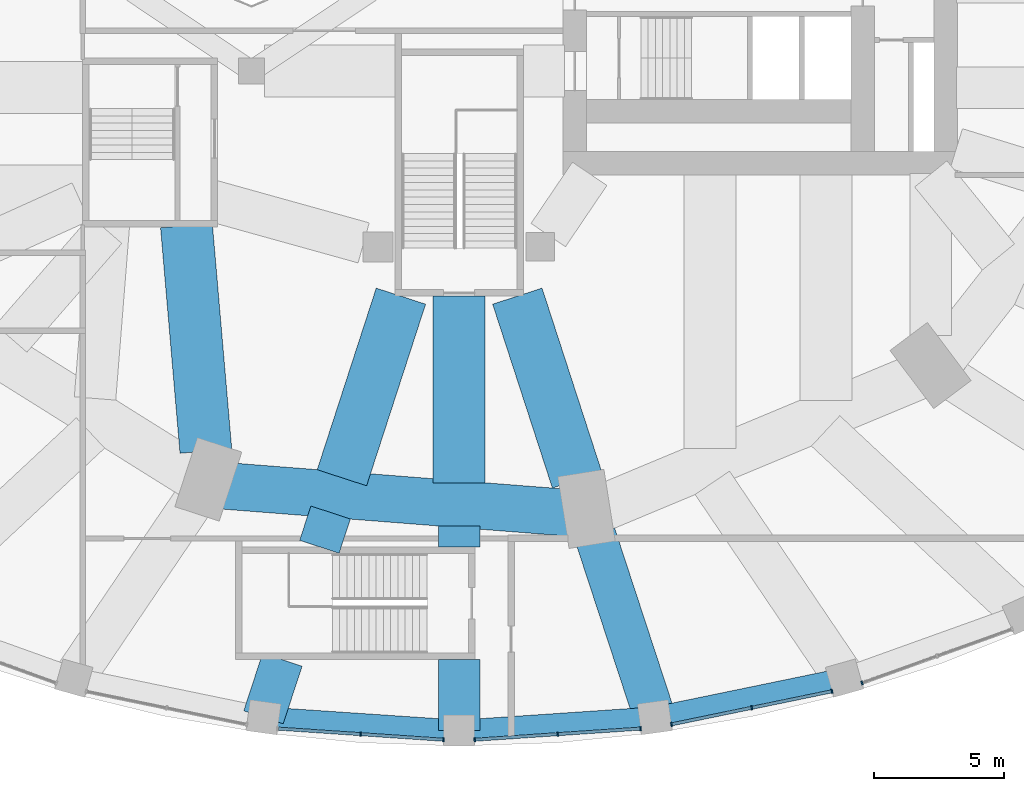
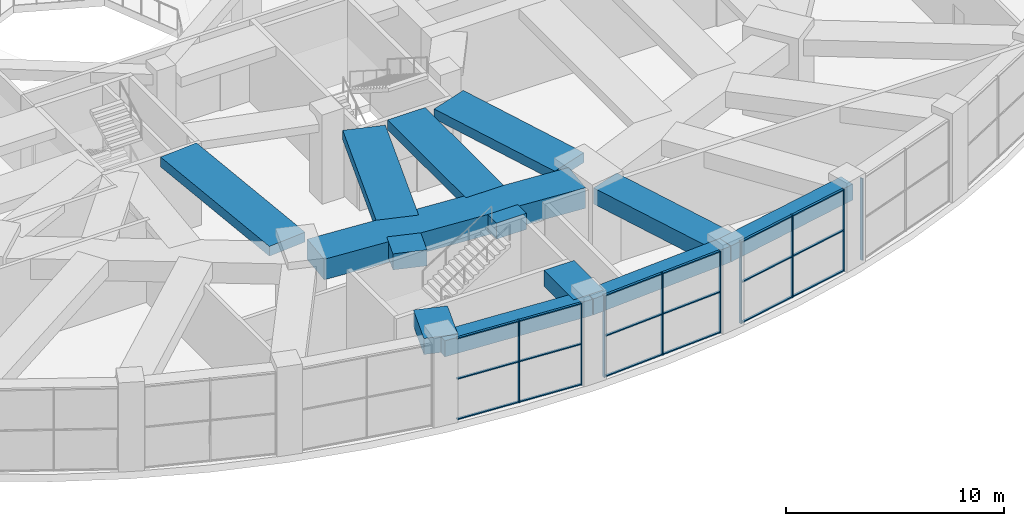
# One storey, part 5 of 32: 27 members, 13 beams, 4 elements without a shape of their own.
"""IFC4 building model written with IfcOpenShell, lengths in metres."""

from ifc_helpers import new_model, si_unit, direction, frame, origin, origin_2d, place, context, subcontext, project, spatial, rectangle, extrude, material, material_profile, profile_set, type_object, element, aggregate, save


model = new_model("IFC4")

# Units and contexts
model_context = context("Model", 3, precision=1e-05, world=origin(), true_north=direction((0.0, 1.0)))
body_context = subcontext(model_context, "Body", "Model", "MODEL_VIEW")
ifc_project = project(units=[si_unit("LENGTHUNIT", "METRE"), si_unit("AREAUNIT", "SQUARE_METRE"), si_unit("VOLUMEUNIT", "CUBIC_METRE"), si_unit("PLANEANGLEUNIT", "RADIAN"), si_unit("MASSUNIT", "GRAM", prefix="KILO")], contexts=[model_context])

# Site, building, storey
site_placement = place(None, origin())
site = spatial("IfcSite", under=ifc_project, at=site_placement, CompositionType="ELEMENT")
building_placement = place(site_placement, origin())
building = spatial("IfcBuilding", under=site, at=building_placement, Name="Taillehof Tower", CompositionType="ELEMENT")
storey_placement = place(building_placement, frame((0.0, 0.0, 7.5)))
storey = spatial("IfcBuildingStorey", under=building, at=storey_placement, Name="L01", CompositionType="ELEMENT", Elevation=7.5)

# Beams
ifc_material_1 = material(Name="Concrete C50/60", Category="concrete")
ifc_material_profile_1 = material_profile(ifc_material_1, rectangle(XDim=0.800048828125, YDim=0.89990234375, at=origin_2d()), Name="RC 800x900")
ifc_profile_set_1 = profile_set([ifc_material_profile_1], Name="Concrete C50/60")
beam_type_1 = type_object("IfcBeamType", Name="Podium edge beam C50/60 800x900", PredefinedType="BEAM", material=ifc_profile_set_1)
for number, where, z_axis, x_axis, name in (
    (1, (-7.536376953125, -32.892578125, 4.139892578125), (0.997741900844, -0.067164717676, 0.0), (0.067164717676, 0.997741900844, 0.0), "Podium edge beam PB27"),
    (2, (0.0, -33.39990234375, 4.139892578125), (0.997741900844, 0.067164717676, 0.0), (-0.067164717676, 0.997741900844, 0.0), "Podium edge beam PB28"),
):
    element("IfcBeam", number, at=place(storey_placement, frame(where, z_axis=z_axis, x_axis=x_axis)), inside=storey, type_object=beam_type_1, Name=name, PredefinedType="BEAM", context=body_context, shape_type="SweptSolid", body=[
        extrude(rectangle(XDim=0.800048828125, YDim=0.89990234375, at=origin_2d()), origin(), (0.0, 0.0, 1.0), 7.553466796875),
    ])
beam_1_placement = place(storey_placement, frame((7.536376953125, -32.892578125, 4.139892578125), z_axis=(0.979394077534, 0.201958512797, 0.0), x_axis=(-0.201958512797, 0.979394077534, 0.0)))
element("IfcBeam", 3, at=beam_1_placement, inside=storey, type_object=beam_type_1, Name="Podium edge beam PB29", PredefinedType="BEAM", context=body_context, shape_type="SweptSolid", body=[
    extrude(rectangle(XDim=0.800048828125, YDim=0.89990234375, at=origin_2d()), origin(), (0.0, 0.0, 1.0), 7.461181640625),
])
ifc_material_2 = material(Name="Concrete C50/60", Category="concrete")
ifc_material_profile_2 = material_profile(ifc_material_2, rectangle(XDim=1.60009765625, YDim=0.89990234375, at=origin_2d()), Name="RC 1600x900")
ifc_profile_set_2 = profile_set([ifc_material_profile_2], Name="Concrete C50/60")
beam_type_2 = type_object("IfcBeamType", Name="Podium radial beam C50/60 1600x900", PredefinedType="BEAM", material=ifc_profile_set_2)
beam_2_placement = place(storey_placement, frame((-7.536376953125, -32.892578125, 4.139892578125), z_axis=(0.311453105326, 0.950261523573, 0.0), x_axis=(-0.950261523573, 0.311453105326, 0.0)))
element("IfcBeam", 4, at=beam_2_placement, inside=storey, type_object=beam_type_2, Name="Podium radial beam PR27", PredefinedType="BEAM", context=body_context, shape_type="SweptSolid", body=[
    extrude(rectangle(XDim=1.60009765625, YDim=0.89990234375, at=origin_2d()), origin(), (0.0, 0.0, 1.0), 2.33349609375),
])
beam_3_placement = place(storey_placement, frame((-5.383544921875, -26.324951171875, 4.139892578125), z_axis=(0.311376491629, 0.950286630686, 0.0), x_axis=(-0.950286630686, 0.311376491629, 0.0)))
element("IfcBeam", 5, at=beam_3_placement, inside=storey, type_object=beam_type_2, Name="Podium radial beam PR27", PredefinedType="BEAM", context=body_context, shape_type="SweptSolid", body=[
    extrude(rectangle(XDim=1.60009765625, YDim=0.89990234375, at=origin_2d()), origin(), (0.0, 0.0, 1.0), 1.39013671875),
])
beam_4_placement = place(storey_placement, frame((0.0, -33.39990234375, 4.139892578125), z_axis=(0.0, 1.0, 0.0), x_axis=(-1.0, 0.0, 0.0)))
element("IfcBeam", 6, at=beam_4_placement, inside=storey, type_object=beam_type_2, Name="Podium radial beam PR28", PredefinedType="BEAM", context=body_context, shape_type="SweptSolid", body=[
    extrude(rectangle(XDim=1.60009765625, YDim=0.89990234375, at=origin_2d()), origin(), (0.0, 0.0, 1.0), 2.724853515625),
])
beam_5_placement = place(storey_placement, frame((0.0, -26.324951171875, 4.139892578125), z_axis=(0.0, 1.0, 0.0), x_axis=(-1.0, 0.0, 0.0)))
element("IfcBeam", 7, at=beam_5_placement, inside=storey, type_object=beam_type_2, Name="Podium radial beam PR28", PredefinedType="BEAM", context=body_context, shape_type="SweptSolid", body=[
    extrude(rectangle(XDim=1.60009765625, YDim=0.89990234375, at=origin_2d()), origin(), (0.0, 0.0, 1.0), 0.80322265625),
])
beam_6_placement = place(storey_placement, frame((7.536376953125, -32.892578125, 4.139892578125), z_axis=(-0.311469218388, 0.950256242283, 0.0), x_axis=(-0.950256242283, -0.311469218388, 0.0)))
element("IfcBeam", 8, at=beam_6_placement, inside=storey, type_object=beam_type_2, Name="Podium radial beam PR29", PredefinedType="BEAM", context=body_context, shape_type="SweptSolid", body=[
    extrude(rectangle(XDim=1.60009765625, YDim=0.89990234375, at=origin_2d()), origin(), (0.0, 0.0, 1.0), 7.40966796875),
])

# Curtain wall, members
ifc_material_3 = material(Name="Aluminium curtain wall with Clear low-emissivity double glazing", Category="aluminium")
curtain_wall_type = type_object("IfcCurtainWallType", Name="Podium window wall curtain wall", PredefinedType="USERDEFINED", material=ifc_material_3)
curtain_wall_1_placement = place(storey_placement, origin())
curtain_wall_1 = element("IfcCurtainWall", 9, at=curtain_wall_1_placement, inside=storey, type_object=curtain_wall_type, Name="Podium window wall L01 bay 27", ObjectType="WINDOW WALL", PredefinedType="USERDEFINED")
ifc_material_4 = material(Name="Aluminium mullion", Category="aluminium")
ifc_material_profile_3 = material_profile(ifc_material_4, rectangle(XDim=0.159912109375, YDim=0.06005859375, at=origin_2d()), Name="AL 60x160")
ifc_profile_set_3 = profile_set([ifc_material_profile_3], Name="Aluminium mullion")
member_type_1 = type_object("IfcMemberType", Name="Podium window wall mullion 60x160", PredefinedType="MULLION", material=ifc_profile_set_3)
member_1_placement = place(storey_placement, frame((-3.795166015625, -33.5439453125, 0.0), z_axis=(0.0, 0.0, 1.0), x_axis=(0.067182989977, 0.997740670644, 0.0)))
member_1 = element("IfcMember", 10, at=member_1_placement, type_object=member_type_1, Name="CT227 mullion 2", PredefinedType="MULLION", context=body_context, shape_type="SweptSolid", body=[
    extrude(rectangle(XDim=0.159912109375, YDim=0.06005859375, at=origin_2d()), origin(), (0.0, 0.0, 1.0), 4.590087890625),
])
member_2_placement = place(storey_placement, frame((-0.60009765625, -33.759033203125, 0.0), z_axis=(0.0, 0.0, 1.0), x_axis=(0.067182989977, 0.997740670644, 0.0)))
member_2 = element("IfcMember", 11, at=member_2_placement, type_object=member_type_1, Name="CT227 mullion 3", PredefinedType="MULLION", context=body_context, shape_type="SweptSolid", body=[
    extrude(rectangle(XDim=0.159912109375, YDim=0.06005859375, at=origin_2d()), origin(), (0.0, 0.0, 1.0), 4.590087890625),
])

curtain_wall_2_placement = place(storey_placement, origin())
curtain_wall_2 = element("IfcCurtainWall", 12, at=curtain_wall_2_placement, inside=storey, type_object=curtain_wall_type, Name="Podium window wall L01 bay 28", ObjectType="WINDOW WALL", PredefinedType="USERDEFINED")
member_3_placement = place(storey_placement, frame((0.60009765625, -33.759033203125, 0.0), z_axis=(0.0, 0.0, 1.0), x_axis=(-0.067182989977, 0.997740670644, 0.0)))
member_3 = element("IfcMember", 13, at=member_3_placement, type_object=member_type_1, Name="CT228 mullion 1", PredefinedType="MULLION", context=body_context, shape_type="SweptSolid", body=[
    extrude(rectangle(XDim=0.159912109375, YDim=0.06005859375, at=origin_2d()), origin(), (0.0, 0.0, 1.0), 4.590087890625),
])
member_4_placement = place(storey_placement, frame((3.795166015625, -33.5439453125, 0.0), z_axis=(0.0, 0.0, 1.0), x_axis=(-0.067182989977, 0.997740670644, 0.0)))
member_4 = element("IfcMember", 14, at=member_4_placement, type_object=member_type_1, Name="CT228 mullion 2", PredefinedType="MULLION", context=body_context, shape_type="SweptSolid", body=[
    extrude(rectangle(XDim=0.159912109375, YDim=0.06005859375, at=origin_2d()), origin(), (0.0, 0.0, 1.0), 4.590087890625),
])
member_5_placement = place(storey_placement, frame((6.990234375, -33.328857421875, 0.0), z_axis=(0.0, 0.0, 1.0), x_axis=(-0.067182989977, 0.997740670644, 0.0)))
member_5 = element("IfcMember", 15, at=member_5_placement, type_object=member_type_1, Name="CT228 mullion 3", PredefinedType="MULLION", context=body_context, shape_type="SweptSolid", body=[
    extrude(rectangle(XDim=0.159912109375, YDim=0.06005859375, at=origin_2d()), origin(), (0.0, 0.0, 1.0), 4.590087890625),
])

curtain_wall_3_placement = place(storey_placement, origin())
curtain_wall_3 = element("IfcCurtainWall", 16, at=curtain_wall_3_placement, inside=storey, type_object=curtain_wall_type, Name="Podium window wall L01 bay 29", ObjectType="WINDOW WALL", PredefinedType="USERDEFINED")
member_6_placement = place(storey_placement, frame((8.17919921875, -33.1669921875, 0.0), z_axis=(0.0, 0.0, 1.0), x_axis=(-0.201976001877, 0.97939047099, 0.0)))
member_6 = element("IfcMember", 17, at=member_6_placement, type_object=member_type_1, Name="CT229 mullion 1", PredefinedType="MULLION", context=body_context, shape_type="SweptSolid", body=[
    extrude(rectangle(XDim=0.159912109375, YDim=0.06005859375, at=origin_2d()), origin(), (0.0, 0.0, 1.0), 4.590087890625),
])
member_7_placement = place(storey_placement, frame((11.27099609375, -32.529296875, 0.0), z_axis=(0.0, 0.0, 1.0), x_axis=(-0.201976001877, 0.97939047099, 0.0)))
member_7 = element("IfcMember", 18, at=member_7_placement, type_object=member_type_1, Name="CT229 mullion 2", PredefinedType="MULLION", context=body_context, shape_type="SweptSolid", body=[
    extrude(rectangle(XDim=0.159912109375, YDim=0.06005859375, at=origin_2d()), origin(), (0.0, 0.0, 1.0), 4.590087890625),
])
member_8_placement = place(storey_placement, frame((14.36279296875, -31.891845703125, 0.0), z_axis=(0.0, 0.0, 1.0), x_axis=(-0.201976001877, 0.97939047099, 0.0)))
member_8 = element("IfcMember", 19, at=member_8_placement, type_object=member_type_1, Name="CT229 mullion 3", PredefinedType="MULLION", context=body_context, shape_type="SweptSolid", body=[
    extrude(rectangle(XDim=0.159912109375, YDim=0.06005859375, at=origin_2d()), origin(), (0.0, 0.0, 1.0), 4.590087890625),
])

# Curtain wall, member
curtain_wall_4_placement = place(storey_placement, origin())
curtain_wall_4 = element("IfcCurtainWall", 20, at=curtain_wall_4_placement, inside=storey, type_object=curtain_wall_type, Name="Podium window wall L01 bay 30", ObjectType="WINDOW WALL", PredefinedType="USERDEFINED")
member_9_placement = place(storey_placement, frame((15.51806640625, -31.567138671875, 0.0), z_axis=(0.0, 0.0, 1.0), x_axis=(-0.337798502496, 0.94121845058, 0.0)))
member_9 = element("IfcMember", 21, at=member_9_placement, type_object=member_type_1, Name="CT230 mullion 1", PredefinedType="MULLION", context=body_context, shape_type="SweptSolid", body=[
    extrude(rectangle(XDim=0.159912109375, YDim=0.06005859375, at=origin_2d()), origin(), (0.0, 0.0, 1.0), 4.590087890625),
])
aggregate(curtain_wall_4, [member_9])

# Member
ifc_material_5 = material(Name="Aluminium transom", Category="aluminium")
ifc_material_profile_4 = material_profile(ifc_material_5, rectangle(XDim=0.1201171875, YDim=0.06005859375, at=origin_2d()), Name="AL 120x60")
ifc_profile_set_4 = profile_set([ifc_material_profile_4], Name="Aluminium transom")
member_type_2 = type_object("IfcMemberType", Name="Podium window wall transom 120x60", PredefinedType="USERDEFINED", material=ifc_profile_set_4)
member_10_placement = place(storey_placement, frame((-6.960205078125, -33.330810546875, 0.030029296875), z_axis=(0.997739199903, -0.067204828525, 0.0), x_axis=(0.067204828525, 0.997739199903, 0.0)))
member_10 = element("IfcMember", 22, at=member_10_placement, type_object=member_type_2, Name="CT227 transom 1.1", ObjectType="TRANSOM", PredefinedType="USERDEFINED", context=body_context, shape_type="SweptSolid", body=[
    extrude(rectangle(XDim=0.1201171875, YDim=0.06005859375, at=origin_2d()), origin(), (0.0, 0.0, 1.0), 3.142333984375),
])

member_11_placement = place(storey_placement, frame((-6.960205078125, -33.330810546875, 2.294921875), z_axis=(0.997739199903, -0.067204828525, 0.0), x_axis=(0.067204828525, 0.997739199903, 0.0)))
member_11 = element("IfcMember", 23, at=member_11_placement, type_object=member_type_2, Name="CT227 transom 1.2", ObjectType="TRANSOM", PredefinedType="USERDEFINED", context=body_context, shape_type="SweptSolid", body=[
    extrude(rectangle(XDim=0.1201171875, YDim=0.06005859375, at=origin_2d()), origin(), (0.0, 0.0, 1.0), 3.142333984375),
])

member_12_placement = place(storey_placement, frame((-6.960205078125, -33.330810546875, 4.56005859375), z_axis=(0.997739199903, -0.067204828525, 0.0), x_axis=(0.067204828525, 0.997739199903, 0.0)))
member_12 = element("IfcMember", 24, at=member_12_placement, type_object=member_type_2, Name="CT227 transom 1.3", ObjectType="TRANSOM", PredefinedType="USERDEFINED", context=body_context, shape_type="SweptSolid", body=[
    extrude(rectangle(XDim=0.1201171875, YDim=0.06005859375, at=origin_2d()), origin(), (0.0, 0.0, 1.0), 3.142333984375),
])

member_13_placement = place(storey_placement, frame((-3.76513671875, -33.5458984375, 0.030029296875), z_axis=(0.997739199903, -0.067204828525, 0.0), x_axis=(0.067204828525, 0.997739199903, 0.0)))
member_13 = element("IfcMember", 25, at=member_13_placement, type_object=member_type_2, Name="CT227 transom 2.1", ObjectType="TRANSOM", PredefinedType="USERDEFINED", context=body_context, shape_type="SweptSolid", body=[
    extrude(rectangle(XDim=0.1201171875, YDim=0.06005859375, at=origin_2d()), origin(), (0.0, 0.0, 1.0), 3.142333984375),
])

member_14_placement = place(storey_placement, frame((-3.76513671875, -33.5458984375, 2.294921875), z_axis=(0.997739199903, -0.067204828525, 0.0), x_axis=(0.067204828525, 0.997739199903, 0.0)))
member_14 = element("IfcMember", 26, at=member_14_placement, type_object=member_type_2, Name="CT227 transom 2.2", ObjectType="TRANSOM", PredefinedType="USERDEFINED", context=body_context, shape_type="SweptSolid", body=[
    extrude(rectangle(XDim=0.1201171875, YDim=0.06005859375, at=origin_2d()), origin(), (0.0, 0.0, 1.0), 3.142333984375),
])

member_15_placement = place(storey_placement, frame((-3.76513671875, -33.5458984375, 4.56005859375), z_axis=(0.997739199903, -0.067204828525, 0.0), x_axis=(0.067204828525, 0.997739199903, 0.0)))
member_15 = element("IfcMember", 27, at=member_15_placement, type_object=member_type_2, Name="CT227 transom 2.3", ObjectType="TRANSOM", PredefinedType="USERDEFINED", context=body_context, shape_type="SweptSolid", body=[
    extrude(rectangle(XDim=0.1201171875, YDim=0.06005859375, at=origin_2d()), origin(), (0.0, 0.0, 1.0), 3.142333984375),
])

aggregate(curtain_wall_1, [member_1, member_2, member_10, member_11, member_12, member_13, member_14, member_15])

member_16_placement = place(storey_placement, frame((0.6298828125, -33.757080078125, 0.030029296875), z_axis=(0.997739199903, 0.067204828525, 0.0), x_axis=(-0.067204828525, 0.997739199903, 0.0)))
member_16 = element("IfcMember", 28, at=member_16_placement, type_object=member_type_2, Name="CT228 transom 1.1", ObjectType="TRANSOM", PredefinedType="USERDEFINED", context=body_context, shape_type="SweptSolid", body=[
    extrude(rectangle(XDim=0.1201171875, YDim=0.06005859375, at=origin_2d()), origin(), (0.0, 0.0, 1.0), 3.142333984375),
])

member_17_placement = place(storey_placement, frame((0.6298828125, -33.757080078125, 2.294921875), z_axis=(0.997739199903, 0.067204828525, 0.0), x_axis=(-0.067204828525, 0.997739199903, 0.0)))
member_17 = element("IfcMember", 29, at=member_17_placement, type_object=member_type_2, Name="CT228 transom 1.2", ObjectType="TRANSOM", PredefinedType="USERDEFINED", context=body_context, shape_type="SweptSolid", body=[
    extrude(rectangle(XDim=0.1201171875, YDim=0.06005859375, at=origin_2d()), origin(), (0.0, 0.0, 1.0), 3.142333984375),
])

member_18_placement = place(storey_placement, frame((0.6298828125, -33.757080078125, 4.56005859375), z_axis=(0.997739199903, 0.067204828525, 0.0), x_axis=(-0.067204828525, 0.997739199903, 0.0)))
member_18 = element("IfcMember", 30, at=member_18_placement, type_object=member_type_2, Name="CT228 transom 1.3", ObjectType="TRANSOM", PredefinedType="USERDEFINED", context=body_context, shape_type="SweptSolid", body=[
    extrude(rectangle(XDim=0.1201171875, YDim=0.06005859375, at=origin_2d()), origin(), (0.0, 0.0, 1.0), 3.142333984375),
])

member_19_placement = place(storey_placement, frame((3.824951171875, -33.5419921875, 0.030029296875), z_axis=(0.997739199903, 0.067204828525, 0.0), x_axis=(-0.067204828525, 0.997739199903, 0.0)))
member_19 = element("IfcMember", 31, at=member_19_placement, type_object=member_type_2, Name="CT228 transom 2.1", ObjectType="TRANSOM", PredefinedType="USERDEFINED", context=body_context, shape_type="SweptSolid", body=[
    extrude(rectangle(XDim=0.1201171875, YDim=0.06005859375, at=origin_2d()), origin(), (0.0, 0.0, 1.0), 3.142333984375),
])

member_20_placement = place(storey_placement, frame((3.824951171875, -33.5419921875, 2.294921875), z_axis=(0.997739199903, 0.067204828525, 0.0), x_axis=(-0.067204828525, 0.997739199903, 0.0)))
member_20 = element("IfcMember", 32, at=member_20_placement, type_object=member_type_2, Name="CT228 transom 2.2", ObjectType="TRANSOM", PredefinedType="USERDEFINED", context=body_context, shape_type="SweptSolid", body=[
    extrude(rectangle(XDim=0.1201171875, YDim=0.06005859375, at=origin_2d()), origin(), (0.0, 0.0, 1.0), 3.142333984375),
])

member_21_placement = place(storey_placement, frame((3.824951171875, -33.5419921875, 4.56005859375), z_axis=(0.997739199903, 0.067204828525, 0.0), x_axis=(-0.067204828525, 0.997739199903, 0.0)))
member_21 = element("IfcMember", 33, at=member_21_placement, type_object=member_type_2, Name="CT228 transom 2.3", ObjectType="TRANSOM", PredefinedType="USERDEFINED", context=body_context, shape_type="SweptSolid", body=[
    extrude(rectangle(XDim=0.1201171875, YDim=0.06005859375, at=origin_2d()), origin(), (0.0, 0.0, 1.0), 3.142333984375),
])

aggregate(curtain_wall_2, [member_3, member_4, member_5, member_16, member_17, member_18, member_19, member_20, member_21])

member_22_placement = place(storey_placement, frame((8.208740234375, -33.160888671875, 0.030029296875), z_axis=(0.979389666619, 0.201979902268, 0.0), x_axis=(-0.201979902268, 0.979389666619, 0.0)))
member_22 = element("IfcMember", 34, at=member_22_placement, type_object=member_type_2, Name="CT229 transom 1.1", ObjectType="TRANSOM", PredefinedType="USERDEFINED", context=body_context, shape_type="SweptSolid", body=[
    extrude(rectangle(XDim=0.1201171875, YDim=0.06005859375, at=origin_2d()), origin(), (0.0, 0.0, 1.0), 3.0966796875),
])

member_23_placement = place(storey_placement, frame((8.208740234375, -33.160888671875, 2.294921875), z_axis=(0.979389666619, 0.201979902268, 0.0), x_axis=(-0.201979902268, 0.979389666619, 0.0)))
member_23 = element("IfcMember", 35, at=member_23_placement, type_object=member_type_2, Name="CT229 transom 1.2", ObjectType="TRANSOM", PredefinedType="USERDEFINED", context=body_context, shape_type="SweptSolid", body=[
    extrude(rectangle(XDim=0.1201171875, YDim=0.06005859375, at=origin_2d()), origin(), (0.0, 0.0, 1.0), 3.0966796875),
])

member_24_placement = place(storey_placement, frame((8.208740234375, -33.160888671875, 4.56005859375), z_axis=(0.979389666619, 0.201979902268, 0.0), x_axis=(-0.201979902268, 0.979389666619, 0.0)))
member_24 = element("IfcMember", 36, at=member_24_placement, type_object=member_type_2, Name="CT229 transom 1.3", ObjectType="TRANSOM", PredefinedType="USERDEFINED", context=body_context, shape_type="SweptSolid", body=[
    extrude(rectangle(XDim=0.1201171875, YDim=0.06005859375, at=origin_2d()), origin(), (0.0, 0.0, 1.0), 3.0966796875),
])

member_25_placement = place(storey_placement, frame((11.30029296875, -32.5234375, 0.030029296875), z_axis=(0.979389666619, 0.201979902268, 0.0), x_axis=(-0.201979902268, 0.979389666619, 0.0)))
member_25 = element("IfcMember", 37, at=member_25_placement, type_object=member_type_2, Name="CT229 transom 2.1", ObjectType="TRANSOM", PredefinedType="USERDEFINED", context=body_context, shape_type="SweptSolid", body=[
    extrude(rectangle(XDim=0.1201171875, YDim=0.06005859375, at=origin_2d()), origin(), (0.0, 0.0, 1.0), 3.0966796875),
])

member_26_placement = place(storey_placement, frame((11.30029296875, -32.5234375, 2.294921875), z_axis=(0.979389666619, 0.201979902268, 0.0), x_axis=(-0.201979902268, 0.979389666619, 0.0)))
member_26 = element("IfcMember", 38, at=member_26_placement, type_object=member_type_2, Name="CT229 transom 2.2", ObjectType="TRANSOM", PredefinedType="USERDEFINED", context=body_context, shape_type="SweptSolid", body=[
    extrude(rectangle(XDim=0.1201171875, YDim=0.06005859375, at=origin_2d()), origin(), (0.0, 0.0, 1.0), 3.0966796875),
])

member_27_placement = place(storey_placement, frame((11.30029296875, -32.5234375, 4.56005859375), z_axis=(0.979389666619, 0.201979902268, 0.0), x_axis=(-0.201979902268, 0.979389666619, 0.0)))
member_27 = element("IfcMember", 39, at=member_27_placement, type_object=member_type_2, Name="CT229 transom 2.3", ObjectType="TRANSOM", PredefinedType="USERDEFINED", context=body_context, shape_type="SweptSolid", body=[
    extrude(rectangle(XDim=0.1201171875, YDim=0.06005859375, at=origin_2d()), origin(), (0.0, 0.0, 1.0), 3.0966796875),
])

aggregate(curtain_wall_3, [member_6, member_7, member_8, member_22, member_23, member_24, member_25, member_26, member_27])

# Beams
ifc_material_6 = material(Name="Concrete C50/60", Category="concrete")
ifc_material_profile_5 = material_profile(ifc_material_6, rectangle(XDim=2.0, YDim=0.550048828125, at=origin_2d()), Name="RC 2000x550")
ifc_profile_set_5 = profile_set([ifc_material_profile_5], Name="Concrete C50/60")
beam_type_3 = type_object("IfcBeamType", Name="Radial band beam C50/60 2000x550", PredefinedType="BEAM", material=ifc_profile_set_5)
beam_7_placement = place(storey_placement, frame((-9.755859375, -22.637451171875, 4.31494140625), z_axis=(-0.085846652558, 0.996308362027, 0.0), x_axis=(-0.996308362027, -0.085846652558, 0.0)))
element("IfcBeam", 40, at=beam_7_placement, inside=storey, type_object=beam_type_3, Name="Radial band beam RB26", PredefinedType="BEAM", context=body_context, shape_type="SweptSolid", body=[
    extrude(rectangle(XDim=2.0, YDim=0.550048828125, at=origin_2d()), origin(), (0.0, 0.0, 1.0), 8.719482421875),
])
beam_8_placement = place(storey_placement, frame((-4.515380859375, -23.665771484375, 4.31494140625), z_axis=(0.308999765566, 0.951062114102, 0.0), x_axis=(-0.951062114102, 0.308999765566, 0.0)))
element("IfcBeam", 41, at=beam_8_placement, inside=storey, type_object=beam_type_3, Name="Radial band beam RB27", PredefinedType="BEAM", context=body_context, shape_type="SweptSolid", body=[
    extrude(rectangle(XDim=2.0, YDim=0.550048828125, at=origin_2d()), origin(), (0.0, 0.0, 1.0), 7.355712890625),
])
beam_9_placement = place(storey_placement, frame((0.0, -23.864501953125, 4.31494140625), z_axis=(0.0, 1.0, 0.0), x_axis=(-1.0, 0.0, 0.0)))
element("IfcBeam", 42, at=beam_9_placement, inside=storey, type_object=beam_type_3, Name="Radial band beam RB28", PredefinedType="BEAM", context=body_context, shape_type="SweptSolid", body=[
    extrude(rectangle(XDim=2.0, YDim=0.550048828125, at=origin_2d()), origin(), (0.0, 0.0, 1.0), 7.194580078125),
])
beam_10_placement = place(storey_placement, frame((4.5439453125, -23.75341796875, 4.31494140625), z_axis=(-0.309010469582, 0.951058636304, 0.0), x_axis=(-0.951058636304, -0.309010469582, 0.0)))
element("IfcBeam", 43, at=beam_10_placement, inside=storey, type_object=beam_type_3, Name="Radial band beam RB29", PredefinedType="BEAM", context=body_context, shape_type="SweptSolid", body=[
    extrude(rectangle(XDim=2.0, YDim=0.550048828125, at=origin_2d()), origin(), (0.0, 0.0, 1.0), 7.447998046875),
])
ifc_material_7 = material(Name="Concrete C50/60", Category="concrete")
ifc_material_profile_6 = material_profile(ifc_material_7, rectangle(XDim=1.800048828125, YDim=1.14990234375, at=origin_2d()), Name="RC 1800x1150")
ifc_profile_set_6 = profile_set([ifc_material_profile_6], Name="Concrete C50/60")
beam_type_4 = type_object("IfcBeamType", Name="Ring floor beam C50/60 1800x1150", PredefinedType="BEAM", material=ifc_profile_set_6)
beam_11_placement = place(storey_placement, frame((-9.024169921875, -23.977783203125, 4.014892578125), z_axis=(0.996957372869, -0.0779486798, 0.0), x_axis=(0.0779486798, 0.996957372869, 0.0)))
element("IfcBeam", 44, at=beam_11_placement, inside=storey, type_object=beam_type_4, Name="Ring floor beam RG09", PredefinedType="BEAM", context=body_context, shape_type="SweptSolid", body=[
    extrude(rectangle(XDim=1.800048828125, YDim=1.14990234375, at=origin_2d()), origin(), (0.0, 0.0, 1.0), 13.298828125),
])

save(model, "model.ifc")
